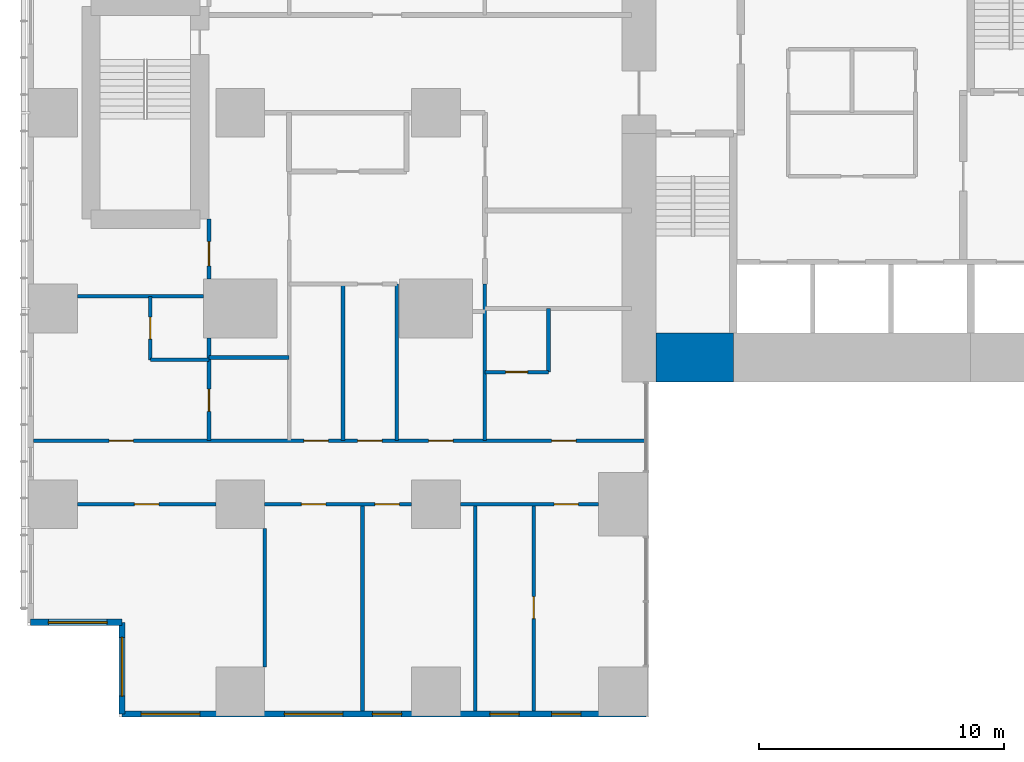
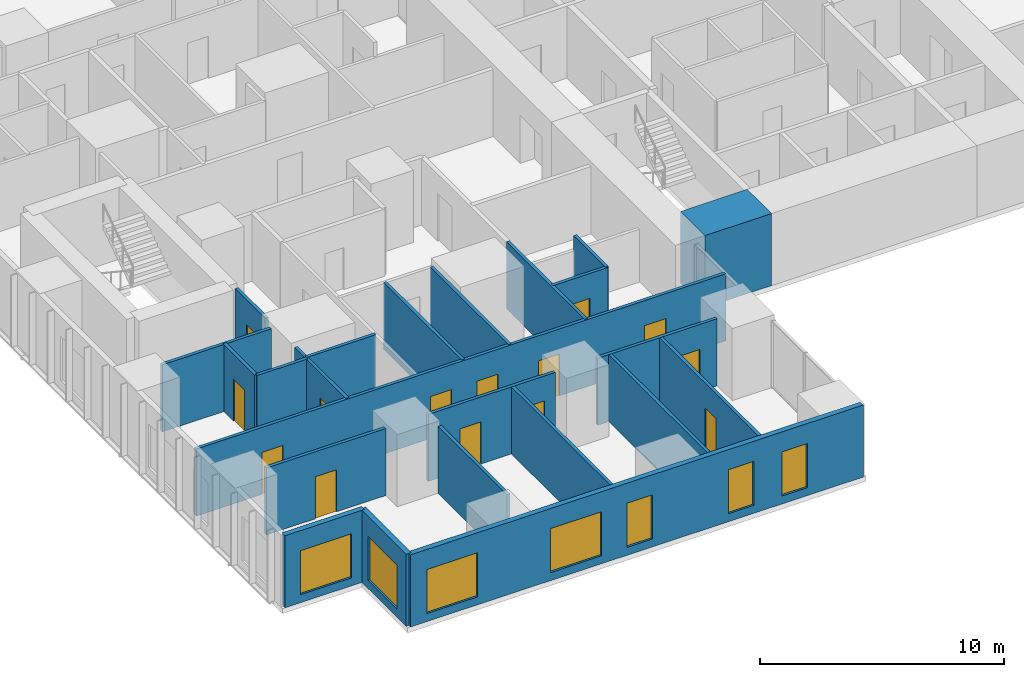
# One storey, part 12 of 20: 23 walls, 14 doors, 7 windows, 21 openings.
"""IFC4 building model written with IfcOpenShell, lengths in metres."""

from ifc_helpers import new_model, si_unit, direction, frame, frame_2d, origin, place, context, subcontext, project, spatial, rectangle, extrude, material, layer, layer_set, type_object, element, fill, save


model = new_model("IFC4")

# Units and contexts
model_context = context("Model", 3, precision=1e-05, world=origin(), true_north=direction((0.0, 1.0)))
body_context = subcontext(model_context, "Body", "Model", "MODEL_VIEW")
ifc_project = project(units=[si_unit("LENGTHUNIT", "METRE"), si_unit("AREAUNIT", "SQUARE_METRE"), si_unit("VOLUMEUNIT", "CUBIC_METRE"), si_unit("PLANEANGLEUNIT", "RADIAN"), si_unit("MASSUNIT", "GRAM", prefix="KILO")], contexts=[model_context])

# Site, building, storey
site_placement = place(None, origin())
site = spatial("IfcSite", under=ifc_project, at=site_placement, CompositionType="ELEMENT")
building_placement = place(site_placement, origin())
building = spatial("IfcBuilding", under=site, at=building_placement, Name="Cleftline Residences", CompositionType="ELEMENT")
storey_placement = place(building_placement, frame((0.0, 0.0, 135.800048828125)))
storey = spatial("IfcBuildingStorey", under=building, at=storey_placement, Name="L35", CompositionType="ELEMENT", Elevation=135.800048828125)

# Wall
ifc_material_1 = material(Name="Concrete B70", Category="concrete")
ifc_layer_1 = layer(ifc_material_1, 2.0)
ifc_layer_set_1 = layer_set([ifc_layer_1], Name="CORE WALL 2000")
wall_type_1 = type_object("IfcWallType", Name="CORE WALL 2000", PredefinedType="SHEAR", material=ifc_layer_set_1)
wall_1_placement = place(storey_placement, frame((25.0, 14.0, 0.0), z_axis=(0.0, 0.0, 1.0), x_axis=(1.0, 0.0, 0.0)))
element("IfcWall", 1, at=wall_1_placement, inside=storey, type_object=wall_type_1, Name="Core wall S1", PredefinedType="SHEAR", context=body_context, shape_type="SweptSolid", body=[
    extrude(rectangle(XDim=3.14990234375, YDim=2.0, at=frame_2d((1.574951171875, 0.0))), origin(), (0.0, 0.0, 1.0), 3.599853515625),
])

# Wall, opening, window
ifc_material_2 = material(Name="Rendered reinforced concrete blockwork", Category="masonry")
ifc_layer_2 = layer(ifc_material_2, 0.25)
ifc_layer_set_2 = layer_set([ifc_layer_2], Name="EXTERNAL WALL 250")
wall_type_2 = type_object("IfcWallType", Name="EXTERNAL WALL 250", PredefinedType="SOLIDWALL", material=ifc_layer_set_2)
wall_2_placement = place(storey_placement, frame((-0.574951171875, 3.175048828125, 0.0), z_axis=(0.0, 0.0, 1.0), x_axis=(1.0, 0.0, 0.0)))
wall_2 = element("IfcWall", 2, at=wall_2_placement, inside=storey, type_object=wall_type_2, Name="External wall", PredefinedType="SOLIDWALL", context=body_context, shape_type="SweptSolid", body=[
    extrude(rectangle(XDim=3.75, YDim=0.25, at=frame_2d((1.875, 0.0))), origin(), (0.0, 0.0, 1.0), 3.599853515625),
])
opening_1_placement = place(wall_2_placement, frame((0.737548828125, 0.0, 0.39990234375)))
opening_1 = element("IfcOpeningElement", 3, at=opening_1_placement, cuts=wall_2, Name="Opening W12", PredefinedType="OPENING", context=body_context, shape_type="SweptSolid", body=[
    extrude(rectangle(XDim=2.39990234375, YDim=2.199951171875, at=frame_2d((1.199951171875, 1.10009765625))), frame((0.0, 0.135009765625, 0.0), z_axis=(0.0, -1.0, 0.0), x_axis=(1.0, 0.0, 0.0)), (0.0, 0.0, 1.0), 0.27001953125),
])
ifc_material_3 = material(Name="Aluminium frame, clear double glazing", Category="aluminium")
window_type_1 = type_object("IfcWindowType", Name="WINDOW 2400X2200", PartitioningType="DOUBLE_PANEL_VERTICAL", PredefinedType="WINDOW", material=ifc_material_3)
window_1_placement = place(opening_1_placement, origin())
window_1 = element("IfcWindow", 4, at=window_1_placement, inside=storey, type_object=window_type_1, Name="Window", OverallHeight=2.199951171875, OverallWidth=2.39990234375, PartitioningType="SINGLE_PANEL", PredefinedType="WINDOW", context=body_context, shape_type="SweptSolid", body=[
    extrude(rectangle(XDim=2.39990234375, YDim=2.199951171875, at=frame_2d((1.199951171875, 1.10009765625))), frame((0.0, 0.030029296875, 0.0), z_axis=(0.0, -1.0, 0.0), x_axis=(1.0, 0.0, 0.0)), (0.0, 0.0, 1.0), 0.06005859375),
])
fill(opening_1, window_1)

wall_3_placement = place(storey_placement, frame((3.175048828125, 3.175048828125, 0.0), z_axis=(0.0, 0.0, 1.0), x_axis=(0.0, -1.0, 0.0)))
wall_3 = element("IfcWall", 5, at=wall_3_placement, inside=storey, type_object=wall_type_2, Name="External wall", PredefinedType="SOLIDWALL", context=body_context, shape_type="SweptSolid", body=[
    extrude(rectangle(XDim=3.75, YDim=0.25, at=frame_2d((1.875, 0.0))), origin(), (0.0, 0.0, 1.0), 3.599853515625),
])
opening_2_placement = place(wall_3_placement, frame((0.612548828125, 0.0, 0.39990234375)))
opening_2 = element("IfcOpeningElement", 6, at=opening_2_placement, cuts=wall_3, Name="Opening W12", PredefinedType="OPENING", context=body_context, shape_type="SweptSolid", body=[
    extrude(rectangle(XDim=2.39990234375, YDim=2.199951171875, at=frame_2d((1.199951171875, 1.10009765625))), frame((0.0, 0.135009765625, 0.0), z_axis=(0.0, -1.0, 0.0), x_axis=(1.0, 0.0, 0.0)), (0.0, 0.0, 1.0), 0.27001953125),
])
window_2_placement = place(opening_2_placement, origin())
window_2 = element("IfcWindow", 7, at=window_2_placement, inside=storey, type_object=window_type_1, Name="Window", OverallHeight=2.199951171875, OverallWidth=2.39990234375, PartitioningType="SINGLE_PANEL", PredefinedType="WINDOW", context=body_context, shape_type="SweptSolid", body=[
    extrude(rectangle(XDim=2.39990234375, YDim=2.199951171875, at=frame_2d((1.199951171875, 1.10009765625))), frame((0.0, 0.030029296875, 0.0), z_axis=(0.0, -1.0, 0.0), x_axis=(1.0, 0.0, 0.0)), (0.0, 0.0, 1.0), 0.06005859375),
])
fill(opening_2, window_2)

# Wall, openings, windows
wall_4_placement = place(storey_placement, frame((3.175048828125, -0.574951171875, 0.0), z_axis=(0.0, 0.0, 1.0), x_axis=(1.0, 0.0, 0.0)))
wall_4 = element("IfcWall", 8, at=wall_4_placement, inside=storey, type_object=wall_type_2, Name="External wall", PredefinedType="SOLIDWALL", context=body_context, shape_type="SweptSolid", body=[
    extrude(rectangle(XDim=21.39990234375, YDim=0.25, at=frame_2d((10.699951171875, 0.0))), origin(), (0.0, 0.0, 1.0), 3.599853515625),
])
opening_3_placement = place(wall_4_placement, frame((0.77490234375, 0.0, 0.39990234375)))
opening_3 = element("IfcOpeningElement", 9, at=opening_3_placement, cuts=wall_4, Name="Opening W12", PredefinedType="OPENING", context=body_context, shape_type="SweptSolid", body=[
    extrude(rectangle(XDim=2.39990234375, YDim=2.199951171875, at=frame_2d((1.199951171875, 1.10009765625))), frame((0.0, 0.135009765625, 0.0), z_axis=(0.0, -1.0, 0.0), x_axis=(1.0, 0.0, 0.0)), (0.0, 0.0, 1.0), 0.27001953125),
])
opening_4_placement = place(wall_4_placement, frame((6.625, 0.0, 0.39990234375)))
opening_4 = element("IfcOpeningElement", 10, at=opening_4_placement, cuts=wall_4, Name="Opening W12", PredefinedType="OPENING", context=body_context, shape_type="SweptSolid", body=[
    extrude(rectangle(XDim=2.39990234375, YDim=2.199951171875, at=frame_2d((1.199951171875, 1.10009765625))), frame((0.0, 0.135009765625, 0.0), z_axis=(0.0, -1.0, 0.0), x_axis=(1.0, 0.0, 0.0)), (0.0, 0.0, 1.0), 0.27001953125),
])
opening_5_placement = place(wall_4_placement, frame((10.22509765625, 0.0, 0.39990234375)))
opening_5 = element("IfcOpeningElement", 11, at=opening_5_placement, cuts=wall_4, Name="Opening W11", PredefinedType="OPENING", context=body_context, shape_type="SweptSolid", body=[
    extrude(rectangle(XDim=1.199951171875, YDim=2.199951171875, at=frame_2d((0.60009765625, 1.10009765625))), frame((0.0, 0.135009765625, 0.0), z_axis=(0.0, -1.0, 0.0), x_axis=(1.0, 0.0, 0.0)), (0.0, 0.0, 1.0), 0.27001953125),
])
opening_6_placement = place(wall_4_placement, frame((15.02490234375, 0.0, 0.39990234375)))
opening_6 = element("IfcOpeningElement", 12, at=opening_6_placement, cuts=wall_4, Name="Opening W11", PredefinedType="OPENING", context=body_context, shape_type="SweptSolid", body=[
    extrude(rectangle(XDim=1.199951171875, YDim=2.199951171875, at=frame_2d((0.60009765625, 1.10009765625))), frame((0.0, 0.135009765625, 0.0), z_axis=(0.0, -1.0, 0.0), x_axis=(1.0, 0.0, 0.0)), (0.0, 0.0, 1.0), 0.27001953125),
])
opening_7_placement = place(wall_4_placement, frame((17.550048828125, 0.0, 0.39990234375)))
opening_7 = element("IfcOpeningElement", 13, at=opening_7_placement, cuts=wall_4, Name="Opening W11", PredefinedType="OPENING", context=body_context, shape_type="SweptSolid", body=[
    extrude(rectangle(XDim=1.199951171875, YDim=2.199951171875, at=frame_2d((0.60009765625, 1.10009765625))), frame((0.0, 0.135009765625, 0.0), z_axis=(0.0, -1.0, 0.0), x_axis=(1.0, 0.0, 0.0)), (0.0, 0.0, 1.0), 0.27001953125),
])
ifc_material_4 = material(Name="Aluminium frame, clear double glazing", Category="aluminium")
window_type_2 = type_object("IfcWindowType", Name="WINDOW 1200X2200", PartitioningType="DOUBLE_PANEL_VERTICAL", PredefinedType="WINDOW", material=ifc_material_4)
window_3_placement = place(opening_5_placement, origin())
window_3 = element("IfcWindow", 14, at=window_3_placement, inside=storey, type_object=window_type_2, Name="Window", OverallHeight=2.199951171875, OverallWidth=1.199951171875, PartitioningType="SINGLE_PANEL", PredefinedType="WINDOW", context=body_context, shape_type="SweptSolid", body=[
    extrude(rectangle(XDim=1.199951171875, YDim=2.199951171875, at=frame_2d((0.60009765625, 1.10009765625))), frame((0.0, 0.030029296875, 0.0), z_axis=(0.0, -1.0, 0.0), x_axis=(1.0, 0.0, 0.0)), (0.0, 0.0, 1.0), 0.06005859375),
])
fill(opening_5, window_3)
window_4_placement = place(opening_6_placement, origin())
window_4 = element("IfcWindow", 15, at=window_4_placement, inside=storey, type_object=window_type_2, Name="Window", OverallHeight=2.199951171875, OverallWidth=1.199951171875, PartitioningType="SINGLE_PANEL", PredefinedType="WINDOW", context=body_context, shape_type="SweptSolid", body=[
    extrude(rectangle(XDim=1.199951171875, YDim=2.199951171875, at=frame_2d((0.60009765625, 1.10009765625))), frame((0.0, 0.030029296875, 0.0), z_axis=(0.0, -1.0, 0.0), x_axis=(1.0, 0.0, 0.0)), (0.0, 0.0, 1.0), 0.06005859375),
])
fill(opening_6, window_4)
window_5_placement = place(opening_7_placement, origin())
window_5 = element("IfcWindow", 16, at=window_5_placement, inside=storey, type_object=window_type_2, Name="Window", OverallHeight=2.199951171875, OverallWidth=1.199951171875, PartitioningType="SINGLE_PANEL", PredefinedType="WINDOW", context=body_context, shape_type="SweptSolid", body=[
    extrude(rectangle(XDim=1.199951171875, YDim=2.199951171875, at=frame_2d((0.60009765625, 1.10009765625))), frame((0.0, 0.030029296875, 0.0), z_axis=(0.0, -1.0, 0.0), x_axis=(1.0, 0.0, 0.0)), (0.0, 0.0, 1.0), 0.06005859375),
])
fill(opening_7, window_5)
window_6_placement = place(opening_3_placement, origin())
window_6 = element("IfcWindow", 17, at=window_6_placement, inside=storey, type_object=window_type_1, Name="Window", OverallHeight=2.199951171875, OverallWidth=2.39990234375, PartitioningType="SINGLE_PANEL", PredefinedType="WINDOW", context=body_context, shape_type="SweptSolid", body=[
    extrude(rectangle(XDim=2.39990234375, YDim=2.199951171875, at=frame_2d((1.199951171875, 1.10009765625))), frame((0.0, 0.030029296875, 0.0), z_axis=(0.0, -1.0, 0.0), x_axis=(1.0, 0.0, 0.0)), (0.0, 0.0, 1.0), 0.06005859375),
])
fill(opening_3, window_6)
window_7_placement = place(opening_4_placement, origin())
window_7 = element("IfcWindow", 18, at=window_7_placement, inside=storey, type_object=window_type_1, Name="Window", OverallHeight=2.199951171875, OverallWidth=2.39990234375, PartitioningType="SINGLE_PANEL", PredefinedType="WINDOW", context=body_context, shape_type="SweptSolid", body=[
    extrude(rectangle(XDim=2.39990234375, YDim=2.199951171875, at=frame_2d((1.199951171875, 1.10009765625))), frame((0.0, 0.030029296875, 0.0), z_axis=(0.0, -1.0, 0.0), x_axis=(1.0, 0.0, 0.0)), (0.0, 0.0, 1.0), 0.06005859375),
])
fill(opening_4, window_7)

# Wall, opening, door
ifc_material_5 = material(Name="Gypsum board on steel studs", Category="steel")
ifc_layer_3 = layer(ifc_material_5, 0.14990234375)
ifc_layer_set_3 = layer_set([ifc_layer_3], Name="PARTITION 150")
wall_type_3 = type_object("IfcWallType", Name="PARTITION 150", PredefinedType="PARTITIONING", material=ifc_layer_set_3)
wall_5_placement = place(storey_placement, frame((1.35009765625, 8.0, 0.0), z_axis=(0.0, 0.0, 1.0), x_axis=(1.0, 0.0, 0.0)))
wall_5 = element("IfcWall", 19, at=wall_5_placement, inside=storey, type_object=wall_type_3, Name="Partition", PredefinedType="PARTITIONING", context=body_context, shape_type="SweptSolid", body=[
    extrude(rectangle(XDim=5.64990234375, YDim=0.14990234375, at=frame_2d((2.824951171875, 0.0))), origin(), (0.0, 0.0, 1.0), 3.349853515625),
])
opening_8_placement = place(wall_5_placement, frame((2.324951171875, 0.0, 0.0)))
opening_8 = element("IfcOpeningElement", 20, at=opening_8_placement, cuts=wall_5, Name="Opening D2", PredefinedType="OPENING", context=body_context, shape_type="SweptSolid", body=[
    extrude(rectangle(XDim=1.0, YDim=2.10009765625, at=frame_2d((0.5, 1.050048828125))), frame((0.0, 0.0849609375, 0.0), z_axis=(0.0, -1.0, 0.0), x_axis=(1.0, 0.0, 0.0)), (0.0, 0.0, 1.0), 0.169921875),
])
ifc_material_6 = material(Name="Timber veneer on solid core", Category="wood")
door_type_1 = type_object("IfcDoorType", Name="DOOR 1000X2100", OperationType="SINGLE_SWING_LEFT", PredefinedType="DOOR", material=ifc_material_6)
door_1_placement = place(opening_8_placement, origin())
door_1 = element("IfcDoor", 21, at=door_1_placement, inside=storey, type_object=door_type_1, Name="Door to living room", OperationType="SINGLE_SWING_LEFT", OverallHeight=2.10009765625, OverallWidth=1.0, PredefinedType="DOOR", context=body_context, shape_type="SweptSolid", body=[
    extrude(rectangle(XDim=1.0, YDim=2.10009765625, at=frame_2d((0.5, 1.050048828125))), frame((0.0, 0.02490234375, 0.0), z_axis=(0.0, -1.0, 0.0), x_axis=(1.0, 0.0, 0.0)), (0.0, 0.0, 1.0), 0.050048828125),
])
fill(opening_8, door_1)

# Wall, openings, doors
wall_6_placement = place(storey_placement, frame((9.0, 8.0, 0.0), z_axis=(0.0, 0.0, 1.0), x_axis=(1.0, 0.0, 0.0)))
wall_6 = element("IfcWall", 22, at=wall_6_placement, inside=storey, type_object=wall_type_3, Name="Partition", PredefinedType="PARTITIONING", context=body_context, shape_type="SweptSolid", body=[
    extrude(rectangle(XDim=6.0, YDim=0.14990234375, at=frame_2d((3.0, 0.0))), origin(), (0.0, 0.0, 1.0), 3.349853515625),
])
opening_9_placement = place(wall_6_placement, frame((1.5, 0.0, 0.0)))
opening_9 = element("IfcOpeningElement", 23, at=opening_9_placement, cuts=wall_6, Name="Opening D2", PredefinedType="OPENING", context=body_context, shape_type="SweptSolid", body=[
    extrude(rectangle(XDim=1.0, YDim=2.10009765625, at=frame_2d((0.5, 1.050048828125))), frame((0.0, 0.0849609375, 0.0), z_axis=(0.0, -1.0, 0.0), x_axis=(1.0, 0.0, 0.0)), (0.0, 0.0, 1.0), 0.169921875),
])
opening_10_placement = place(wall_6_placement, frame((4.5, 0.0, 0.0)))
opening_10 = element("IfcOpeningElement", 24, at=opening_10_placement, cuts=wall_6, Name="Opening D2", PredefinedType="OPENING", context=body_context, shape_type="SweptSolid", body=[
    extrude(rectangle(XDim=1.0, YDim=2.10009765625, at=frame_2d((0.5, 1.050048828125))), frame((0.0, 0.0849609375, 0.0), z_axis=(0.0, -1.0, 0.0), x_axis=(1.0, 0.0, 0.0)), (0.0, 0.0, 1.0), 0.169921875),
])
door_2_placement = place(opening_9_placement, origin())
door_2 = element("IfcDoor", 25, at=door_2_placement, inside=storey, type_object=door_type_1, Name="Door to dining room", OperationType="SINGLE_SWING_RIGHT", OverallHeight=2.10009765625, OverallWidth=1.0, PredefinedType="DOOR", context=body_context, shape_type="SweptSolid", body=[
    extrude(rectangle(XDim=1.0, YDim=2.10009765625, at=frame_2d((0.5, 1.050048828125))), frame((0.0, 0.02490234375, 0.0), z_axis=(0.0, -1.0, 0.0), x_axis=(1.0, 0.0, 0.0)), (0.0, 0.0, 1.0), 0.050048828125),
])
fill(opening_9, door_2)
door_3_placement = place(opening_10_placement, origin())
door_3 = element("IfcDoor", 26, at=door_3_placement, inside=storey, type_object=door_type_1, Name="Door to show kitchen", OperationType="SINGLE_SWING_LEFT", OverallHeight=2.10009765625, OverallWidth=1.0, PredefinedType="DOOR", context=body_context, shape_type="SweptSolid", body=[
    extrude(rectangle(XDim=1.0, YDim=2.10009765625, at=frame_2d((0.5, 1.050048828125))), frame((0.0, 0.02490234375, 0.0), z_axis=(0.0, -1.0, 0.0), x_axis=(1.0, 0.0, 0.0)), (0.0, 0.0, 1.0), 0.050048828125),
])
fill(opening_10, door_3)

# Wall, opening, door
wall_7_placement = place(storey_placement, frame((17.0, 8.0, 0.0), z_axis=(0.0, 0.0, 1.0), x_axis=(1.0, 0.0, 0.0)))
wall_7 = element("IfcWall", 27, at=wall_7_placement, inside=storey, type_object=wall_type_3, Name="Partition", PredefinedType="PARTITIONING", context=body_context, shape_type="SweptSolid", body=[
    extrude(rectangle(XDim=5.64990234375, YDim=0.14990234375, at=frame_2d((2.824951171875, 0.0))), origin(), (0.0, 0.0, 1.0), 3.349853515625),
])
opening_11_placement = place(wall_7_placement, frame((3.824951171875, 0.0, 0.0)))
opening_11 = element("IfcOpeningElement", 28, at=opening_11_placement, cuts=wall_7, Name="Opening D2", PredefinedType="OPENING", context=body_context, shape_type="SweptSolid", body=[
    extrude(rectangle(XDim=1.0, YDim=2.10009765625, at=frame_2d((0.5, 1.050048828125))), frame((0.0, 0.0849609375, 0.0), z_axis=(0.0, -1.0, 0.0), x_axis=(1.0, 0.0, 0.0)), (0.0, 0.0, 1.0), 0.169921875),
])
door_4_placement = place(opening_11_placement, origin())
door_4 = element("IfcDoor", 29, at=door_4_placement, inside=storey, type_object=door_type_1, Name="Door to bedroom 2", OperationType="SINGLE_SWING_LEFT", OverallHeight=2.10009765625, OverallWidth=1.0, PredefinedType="DOOR", context=body_context, shape_type="SweptSolid", body=[
    extrude(rectangle(XDim=1.0, YDim=2.10009765625, at=frame_2d((0.5, 1.050048828125))), frame((0.0, 0.02490234375, 0.0), z_axis=(0.0, -1.0, 0.0), x_axis=(1.0, 0.0, 0.0)), (0.0, 0.0, 1.0), 0.050048828125),
])
fill(opening_11, door_4)

# Wall, openings, doors
wall_8_placement = place(storey_placement, frame((-0.449951171875, 10.60009765625, 0.0), z_axis=(0.0, 0.0, 1.0), x_axis=(1.0, 0.0, 0.0)))
wall_8 = element("IfcWall", 30, at=wall_8_placement, inside=storey, type_object=wall_type_3, Name="Partition", PredefinedType="PARTITIONING", context=body_context, shape_type="SweptSolid", body=[
    extrude(rectangle(XDim=25.010986328125, YDim=0.14990234375, at=frame_2d((12.50537109375, 0.0))), origin(), (0.0, 0.0, 1.0), 3.349853515625),
])
opening_12_placement = place(wall_8_placement, frame((13.25, 0.0, 0.0)))
opening_12 = element("IfcOpeningElement", 31, at=opening_12_placement, cuts=wall_8, Name="Opening D2", PredefinedType="OPENING", context=body_context, shape_type="SweptSolid", body=[
    extrude(rectangle(XDim=1.0, YDim=2.10009765625, at=frame_2d((0.5, 1.050048828125))), frame((0.0, 0.0849609375, 0.0), z_axis=(0.0, -1.0, 0.0), x_axis=(1.0, 0.0, 0.0)), (0.0, 0.0, 1.0), 0.169921875),
])
opening_13_placement = place(wall_8_placement, frame((3.08740234375, 0.0, 0.0)))
opening_13 = element("IfcOpeningElement", 32, at=opening_13_placement, cuts=wall_8, Name="Opening D2", PredefinedType="OPENING", context=body_context, shape_type="SweptSolid", body=[
    extrude(rectangle(XDim=1.0, YDim=2.10009765625, at=frame_2d((0.5, 1.050048828125))), frame((0.0, 0.0849609375, 0.0), z_axis=(0.0, -1.0, 0.0), x_axis=(1.0, 0.0, 0.0)), (0.0, 0.0, 1.0), 0.169921875),
])
opening_14_placement = place(wall_8_placement, frame((11.050048828125, 0.0, 0.0)))
opening_14 = element("IfcOpeningElement", 33, at=opening_14_placement, cuts=wall_8, Name="Opening D2", PredefinedType="OPENING", context=body_context, shape_type="SweptSolid", body=[
    extrude(rectangle(XDim=1.0, YDim=2.10009765625, at=frame_2d((0.5, 1.050048828125))), frame((0.0, 0.0849609375, 0.0), z_axis=(0.0, -1.0, 0.0), x_axis=(1.0, 0.0, 0.0)), (0.0, 0.0, 1.0), 0.169921875),
])
opening_15_placement = place(wall_8_placement, frame((16.14990234375, 0.0, 0.0)))
opening_15 = element("IfcOpeningElement", 34, at=opening_15_placement, cuts=wall_8, Name="Opening D2", PredefinedType="OPENING", context=body_context, shape_type="SweptSolid", body=[
    extrude(rectangle(XDim=1.0, YDim=2.10009765625, at=frame_2d((0.5, 1.050048828125))), frame((0.0, 0.0849609375, 0.0), z_axis=(0.0, -1.0, 0.0), x_axis=(1.0, 0.0, 0.0)), (0.0, 0.0, 1.0), 0.169921875),
])
opening_16_placement = place(wall_8_placement, frame((21.175048828125, 0.0, 0.0)))
opening_16 = element("IfcOpeningElement", 35, at=opening_16_placement, cuts=wall_8, Name="Opening D2", PredefinedType="OPENING", context=body_context, shape_type="SweptSolid", body=[
    extrude(rectangle(XDim=1.0, YDim=2.10009765625, at=frame_2d((0.5, 1.050048828125))), frame((0.0, 0.0849609375, 0.0), z_axis=(0.0, -1.0, 0.0), x_axis=(1.0, 0.0, 0.0)), (0.0, 0.0, 1.0), 0.169921875),
])
door_5_placement = place(opening_12_placement, origin())
door_5 = element("IfcDoor", 36, at=door_5_placement, inside=storey, type_object=door_type_1, Name="Door to residence hall", OperationType="SINGLE_SWING_LEFT", OverallHeight=2.10009765625, OverallWidth=1.0, PredefinedType="DOOR", context=body_context, shape_type="SweptSolid", body=[
    extrude(rectangle(XDim=1.0, YDim=2.10009765625, at=frame_2d((0.5, 1.050048828125))), frame((0.0, 0.02490234375, 0.0), z_axis=(0.0, -1.0, 0.0), x_axis=(1.0, 0.0, 0.0)), (0.0, 0.0, 1.0), 0.050048828125),
])
fill(opening_12, door_5)
door_6_placement = place(opening_13_placement, origin())
door_6 = element("IfcDoor", 37, at=door_6_placement, inside=storey, type_object=door_type_1, Name="Door to master bedroom", OperationType="SINGLE_SWING_RIGHT", OverallHeight=2.10009765625, OverallWidth=1.0, PredefinedType="DOOR", context=body_context, shape_type="SweptSolid", body=[
    extrude(rectangle(XDim=1.0, YDim=2.10009765625, at=frame_2d((0.5, 1.050048828125))), frame((0.0, 0.02490234375, 0.0), z_axis=(0.0, -1.0, 0.0), x_axis=(1.0, 0.0, 0.0)), (0.0, 0.0, 1.0), 0.050048828125),
])
fill(opening_13, door_6)
door_7_placement = place(opening_14_placement, origin())
door_7 = element("IfcDoor", 38, at=door_7_placement, inside=storey, type_object=door_type_1, Name="Door to wet kitchen", OperationType="SINGLE_SWING_RIGHT", OverallHeight=2.10009765625, OverallWidth=1.0, PredefinedType="DOOR", context=body_context, shape_type="SweptSolid", body=[
    extrude(rectangle(XDim=1.0, YDim=2.10009765625, at=frame_2d((0.5, 1.050048828125))), frame((0.0, 0.02490234375, 0.0), z_axis=(0.0, -1.0, 0.0), x_axis=(1.0, 0.0, 0.0)), (0.0, 0.0, 1.0), 0.050048828125),
])
fill(opening_14, door_7)
door_8_placement = place(opening_15_placement, origin())
door_8 = element("IfcDoor", 39, at=door_8_placement, inside=storey, type_object=door_type_1, Name="Door to family room", OperationType="SINGLE_SWING_LEFT", OverallHeight=2.10009765625, OverallWidth=1.0, PredefinedType="DOOR", context=body_context, shape_type="SweptSolid", body=[
    extrude(rectangle(XDim=1.0, YDim=2.10009765625, at=frame_2d((0.5, 1.050048828125))), frame((0.0, 0.02490234375, 0.0), z_axis=(0.0, -1.0, 0.0), x_axis=(1.0, 0.0, 0.0)), (0.0, 0.0, 1.0), 0.050048828125),
])
fill(opening_15, door_8)
door_9_placement = place(opening_16_placement, origin())
door_9 = element("IfcDoor", 40, at=door_9_placement, inside=storey, type_object=door_type_1, Name="Door to bedroom 3", OperationType="SINGLE_SWING_LEFT", OverallHeight=2.10009765625, OverallWidth=1.0, PredefinedType="DOOR", context=body_context, shape_type="SweptSolid", body=[
    extrude(rectangle(XDim=1.0, YDim=2.10009765625, at=frame_2d((0.5, 1.050048828125))), frame((0.0, 0.02490234375, 0.0), z_axis=(0.0, -1.0, 0.0), x_axis=(1.0, 0.0, 0.0)), (0.0, 0.0, 1.0), 0.050048828125),
])
fill(opening_16, door_9)

# Wall, opening, door
wall_9_placement = place(storey_placement, frame((18.0, 13.39990234375, 0.0), z_axis=(0.0, 0.0, 1.0), x_axis=(1.0, 0.0, 0.0)))
wall_9 = element("IfcWall", 41, at=wall_9_placement, inside=storey, type_object=wall_type_3, Name="Partition", PredefinedType="PARTITIONING", context=body_context, shape_type="SweptSolid", body=[
    extrude(rectangle(XDim=2.60009765625, YDim=0.14990234375, at=frame_2d((1.300048828125, 0.0))), origin(), (0.0, 0.0, 1.0), 3.349853515625),
])
opening_17_placement = place(wall_9_placement, frame((0.85009765625, 0.0, 0.0)))
opening_17 = element("IfcOpeningElement", 42, at=opening_17_placement, cuts=wall_9, Name="Opening D1", PredefinedType="OPENING", context=body_context, shape_type="SweptSolid", body=[
    extrude(rectangle(XDim=0.89990234375, YDim=2.10009765625, at=frame_2d((0.449951171875, 1.050048828125))), frame((0.0, 0.0849609375, 0.0), z_axis=(0.0, -1.0, 0.0), x_axis=(1.0, 0.0, 0.0)), (0.0, 0.0, 1.0), 0.169921875),
])
ifc_material_7 = material(Name="Timber veneer on solid core", Category="wood")
door_type_2 = type_object("IfcDoorType", Name="DOOR 900X2100", OperationType="SINGLE_SWING_LEFT", PredefinedType="DOOR", material=ifc_material_7)
door_10_placement = place(opening_17_placement, origin())
door_10 = element("IfcDoor", 43, at=door_10_placement, inside=storey, type_object=door_type_2, Name="Door to en-suite bathroom 3", OperationType="SINGLE_SWING_LEFT", OverallHeight=2.10009765625, OverallWidth=0.89990234375, PredefinedType="DOOR", context=body_context, shape_type="SweptSolid", body=[
    extrude(rectangle(XDim=0.89990234375, YDim=2.10009765625, at=frame_2d((0.449951171875, 1.050048828125))), frame((0.0, 0.02490234375, 0.0), z_axis=(0.0, -1.0, 0.0), x_axis=(1.0, 0.0, 0.0)), (0.0, 0.0, 1.0), 0.050048828125),
])
fill(opening_17, door_10)

# Walls
wall_10_placement = place(storey_placement, frame((4.324951171875, 13.89990234375, 0.0), z_axis=(0.0, 0.0, 1.0), x_axis=(1.0, 0.0, 0.0)))
element("IfcWall", 44, at=wall_10_placement, inside=storey, type_object=wall_type_3, Name="Partition", PredefinedType="PARTITIONING", context=body_context, shape_type="SweptSolid", body=[
    extrude(rectangle(XDim=2.400146484375, YDim=0.14990234375, at=frame_2d((1.2001953125, 0.0))), origin(), (0.0, 0.0, 1.0), 3.349853515625),
])
wall_11_placement = place(storey_placement, frame((6.72509765625, 14.0, 0.0), z_axis=(0.0, 0.0, 1.0), x_axis=(1.0, 0.0, 0.0)))
element("IfcWall", 45, at=wall_11_placement, inside=storey, type_object=wall_type_3, Name="Partition", PredefinedType="PARTITIONING", context=body_context, shape_type="SweptSolid", body=[
    extrude(rectangle(XDim=3.27490234375, YDim=0.14990234375, at=frame_2d((1.637451171875, 0.0))), origin(), (0.0, 0.0, 1.0), 3.349853515625),
])
wall_12_placement = place(storey_placement, frame((1.35009765625, 16.5, 0.0), z_axis=(0.0, 0.0, 1.0), x_axis=(1.0, 0.0, 0.0)))
element("IfcWall", 46, at=wall_12_placement, inside=storey, type_object=wall_type_3, Name="Partition", PredefinedType="PARTITIONING", context=body_context, shape_type="SweptSolid", body=[
    extrude(rectangle(XDim=5.14990234375, YDim=0.14990234375, at=frame_2d((2.574951171875, 0.0))), origin(), (0.0, 0.0, 1.0), 3.349853515625),
])

# Wall, opening, door
wall_13_placement = place(storey_placement, frame((4.324951171875, 13.89990234375, 0.0), z_axis=(0.0, 0.0, 1.0), x_axis=(0.0, 1.0, 0.0)))
wall_13 = element("IfcWall", 47, at=wall_13_placement, inside=storey, type_object=wall_type_3, Name="Partition", PredefinedType="PARTITIONING", context=body_context, shape_type="SweptSolid", body=[
    extrude(rectangle(XDim=2.60009765625, YDim=0.14990234375, at=frame_2d((1.300048828125, 0.0))), origin(), (0.0, 0.0, 1.0), 3.349853515625),
])
opening_18_placement = place(wall_13_placement, frame((0.85009765625, 0.0, 0.0)))
opening_18 = element("IfcOpeningElement", 48, at=opening_18_placement, cuts=wall_13, Name="Opening D1", PredefinedType="OPENING", context=body_context, shape_type="SweptSolid", body=[
    extrude(rectangle(XDim=0.89990234375, YDim=2.10009765625, at=frame_2d((0.449951171875, 1.050048828125))), frame((0.0, 0.0849609375, 0.0), z_axis=(0.0, -1.0, 0.0), x_axis=(1.0, 0.0, 0.0)), (0.0, 0.0, 1.0), 0.169921875),
])
door_11_placement = place(opening_18_placement, origin())
door_11 = element("IfcDoor", 49, at=door_11_placement, inside=storey, type_object=door_type_2, Name="Door to master bathroom", OperationType="SINGLE_SWING_LEFT", OverallHeight=2.10009765625, OverallWidth=0.89990234375, PredefinedType="DOOR", context=body_context, shape_type="SweptSolid", body=[
    extrude(rectangle(XDim=0.89990234375, YDim=2.10009765625, at=frame_2d((0.449951171875, 1.050048828125))), frame((0.0, 0.02490234375, 0.0), z_axis=(0.0, -1.0, 0.0), x_axis=(1.0, 0.0, 0.0)), (0.0, 0.0, 1.0), 0.050048828125),
])
fill(opening_18, door_11)

wall_14_placement = place(storey_placement, frame((6.72509765625, 10.60009765625, 0.0), z_axis=(0.0, 0.0, 1.0), x_axis=(0.0, 1.0, 0.0)))
wall_14 = element("IfcWall", 50, at=wall_14_placement, inside=storey, type_object=wall_type_3, Name="Partition", PredefinedType="PARTITIONING", context=body_context, shape_type="SweptSolid", body=[
    extrude(rectangle(XDim=4.199951171875, YDim=0.14990234375, at=frame_2d((2.10009765625, 0.0))), origin(), (0.0, 0.0, 1.0), 3.349853515625),
])
opening_19_placement = place(wall_14_placement, frame((1.199951171875, 0.0, 0.0)))
opening_19 = element("IfcOpeningElement", 51, at=opening_19_placement, cuts=wall_14, Name="Opening D1", PredefinedType="OPENING", context=body_context, shape_type="SweptSolid", body=[
    extrude(rectangle(XDim=0.89990234375, YDim=2.10009765625, at=frame_2d((0.449951171875, 1.050048828125))), frame((0.0, 0.0849609375, 0.0), z_axis=(0.0, -1.0, 0.0), x_axis=(1.0, 0.0, 0.0)), (0.0, 0.0, 1.0), 0.169921875),
])
door_12_placement = place(opening_19_placement, origin())
door_12 = element("IfcDoor", 52, at=door_12_placement, inside=storey, type_object=door_type_2, Name="Door to master dressing room", OperationType="SINGLE_SWING_RIGHT", OverallHeight=2.10009765625, OverallWidth=0.89990234375, PredefinedType="DOOR", context=body_context, shape_type="SweptSolid", body=[
    extrude(rectangle(XDim=0.89990234375, YDim=2.10009765625, at=frame_2d((0.449951171875, 1.050048828125))), frame((0.0, 0.02490234375, 0.0), z_axis=(0.0, -1.0, 0.0), x_axis=(1.0, 0.0, 0.0)), (0.0, 0.0, 1.0), 0.050048828125),
])
fill(opening_19, door_12)

wall_15_placement = place(storey_placement, frame((6.72509765625, 17.199951171875, 0.0), z_axis=(0.0, 0.0, 1.0), x_axis=(0.0, 1.0, 0.0)))
wall_15 = element("IfcWall", 53, at=wall_15_placement, inside=storey, type_object=wall_type_3, Name="Partition", PredefinedType="PARTITIONING", context=body_context, shape_type="SweptSolid", body=[
    extrude(rectangle(XDim=2.449951171875, YDim=0.14990234375, at=frame_2d((1.22509765625, 0.0))), origin(), (0.0, 0.0, 1.0), 3.349853515625),
])
opening_20_placement = place(wall_15_placement, frame((0.53759765625, 0.0, 0.0)))
opening_20 = element("IfcOpeningElement", 54, at=opening_20_placement, cuts=wall_15, Name="Opening D2", PredefinedType="OPENING", context=body_context, shape_type="SweptSolid", body=[
    extrude(rectangle(XDim=1.0, YDim=2.10009765625, at=frame_2d((0.5, 1.050048828125))), frame((0.0, 0.0849609375, 0.0), z_axis=(0.0, -1.0, 0.0), x_axis=(1.0, 0.0, 0.0)), (0.0, 0.0, 1.0), 0.169921875),
])
door_13_placement = place(opening_20_placement, origin())
door_13 = element("IfcDoor", 55, at=door_13_placement, inside=storey, type_object=door_type_1, Name="Door to winter garden", OperationType="SINGLE_SWING_RIGHT", OverallHeight=2.10009765625, OverallWidth=1.0, PredefinedType="DOOR", context=body_context, shape_type="SweptSolid", body=[
    extrude(rectangle(XDim=1.0, YDim=2.10009765625, at=frame_2d((0.5, 1.050048828125))), frame((0.0, 0.02490234375, 0.0), z_axis=(0.0, -1.0, 0.0), x_axis=(1.0, 0.0, 0.0)), (0.0, 0.0, 1.0), 0.050048828125),
])
fill(opening_20, door_13)

# Walls
wall_16_placement = place(storey_placement, frame((9.0, 1.35009765625, 0.0), z_axis=(0.0, 0.0, 1.0), x_axis=(0.0, 1.0, 0.0)))
element("IfcWall", 56, at=wall_16_placement, inside=storey, type_object=wall_type_3, Name="Partition", PredefinedType="PARTITIONING", context=body_context, shape_type="SweptSolid", body=[
    extrude(rectangle(XDim=5.64990234375, YDim=0.14990234375, at=frame_2d((2.824951171875, 0.0))), origin(), (0.0, 0.0, 1.0), 3.349853515625),
])
wall_17_placement = place(storey_placement, frame((12.199951171875, 10.60009765625, 0.0), z_axis=(0.0, 0.0, 1.0), x_axis=(0.0, 1.0, 0.0)))
element("IfcWall", 57, at=wall_17_placement, inside=storey, type_object=wall_type_3, Name="Partition", PredefinedType="PARTITIONING", context=body_context, shape_type="SweptSolid", body=[
    extrude(rectangle(XDim=6.39990234375, YDim=0.14990234375, at=frame_2d((3.199951171875, 0.0))), origin(), (0.0, 0.0, 1.0), 3.349853515625),
])
wall_18_placement = place(storey_placement, frame((13.0, -0.449951171875, 0.0), z_axis=(0.0, 0.0, 1.0), x_axis=(0.0, 1.0, 0.0)))
element("IfcWall", 58, at=wall_18_placement, inside=storey, type_object=wall_type_3, Name="Partition", PredefinedType="PARTITIONING", context=body_context, shape_type="SweptSolid", body=[
    extrude(rectangle(XDim=8.449951171875, YDim=0.14990234375, at=frame_2d((4.22509765625, 0.0))), origin(), (0.0, 0.0, 1.0), 3.349853515625),
])
wall_19_placement = place(storey_placement, frame((14.39990234375, 10.60009765625, 0.0), z_axis=(0.0, 0.0, 1.0), x_axis=(0.0, 1.0, 0.0)))
element("IfcWall", 59, at=wall_19_placement, inside=storey, type_object=wall_type_3, Name="Partition", PredefinedType="PARTITIONING", context=body_context, shape_type="SweptSolid", body=[
    extrude(rectangle(XDim=6.39990234375, YDim=0.14990234375, at=frame_2d((3.199951171875, 0.0))), origin(), (0.0, 0.0, 1.0), 3.349853515625),
])
wall_20_placement = place(storey_placement, frame((17.60009765625, -0.449951171875, 0.0), z_axis=(0.0, 0.0, 1.0), x_axis=(0.0, 1.0, 0.0)))
element("IfcWall", 60, at=wall_20_placement, inside=storey, type_object=wall_type_3, Name="Partition", PredefinedType="PARTITIONING", context=body_context, shape_type="SweptSolid", body=[
    extrude(rectangle(XDim=8.449951171875, YDim=0.14990234375, at=frame_2d((4.22509765625, 0.0))), origin(), (0.0, 0.0, 1.0), 3.349853515625),
])
wall_21_placement = place(storey_placement, frame((18.0, 10.60009765625, 0.0), z_axis=(0.0, 0.0, 1.0), x_axis=(0.0, 1.0, 0.0)))
element("IfcWall", 61, at=wall_21_placement, inside=storey, type_object=wall_type_3, Name="Partition", PredefinedType="PARTITIONING", context=body_context, shape_type="SweptSolid", body=[
    extrude(rectangle(XDim=6.39990234375, YDim=0.14990234375, at=frame_2d((3.199951171875, 0.0))), origin(), (0.0, 0.0, 1.0), 3.349853515625),
])

# Wall, opening, door
wall_22_placement = place(storey_placement, frame((20.0, -0.449951171875, 0.0), z_axis=(0.0, 0.0, 1.0), x_axis=(0.0, 1.0, 0.0)))
wall_22 = element("IfcWall", 62, at=wall_22_placement, inside=storey, type_object=wall_type_3, Name="Partition", PredefinedType="PARTITIONING", context=body_context, shape_type="SweptSolid", body=[
    extrude(rectangle(XDim=8.449951171875, YDim=0.14990234375, at=frame_2d((4.22509765625, 0.0))), origin(), (0.0, 0.0, 1.0), 3.349853515625),
])
opening_21_placement = place(wall_22_placement, frame((3.77490234375, 0.0, 0.0)))
opening_21 = element("IfcOpeningElement", 63, at=opening_21_placement, cuts=wall_22, Name="Opening D1", PredefinedType="OPENING", context=body_context, shape_type="SweptSolid", body=[
    extrude(rectangle(XDim=0.89990234375, YDim=2.10009765625, at=frame_2d((0.449951171875, 1.050048828125))), frame((0.0, 0.0849609375, 0.0), z_axis=(0.0, -1.0, 0.0), x_axis=(1.0, 0.0, 0.0)), (0.0, 0.0, 1.0), 0.169921875),
])
door_14_placement = place(opening_21_placement, origin())
door_14 = element("IfcDoor", 64, at=door_14_placement, inside=storey, type_object=door_type_2, Name="Door to en-suite bathroom 2", OperationType="SINGLE_SWING_LEFT", OverallHeight=2.10009765625, OverallWidth=0.89990234375, PredefinedType="DOOR", context=body_context, shape_type="SweptSolid", body=[
    extrude(rectangle(XDim=0.89990234375, YDim=2.10009765625, at=frame_2d((0.449951171875, 1.050048828125))), frame((0.0, 0.02490234375, 0.0), z_axis=(0.0, -1.0, 0.0), x_axis=(1.0, 0.0, 0.0)), (0.0, 0.0, 1.0), 0.050048828125),
])
fill(opening_21, door_14)

# Wall
wall_23_placement = place(storey_placement, frame((20.60009765625, 13.39990234375, 0.0), z_axis=(0.0, 0.0, 1.0), x_axis=(0.0, 1.0, 0.0)))
element("IfcWall", 65, at=wall_23_placement, inside=storey, type_object=wall_type_3, Name="Partition", PredefinedType="PARTITIONING", context=body_context, shape_type="SweptSolid", body=[
    extrude(rectangle(XDim=2.60009765625, YDim=0.14990234375, at=frame_2d((1.300048828125, 0.0))), origin(), (0.0, 0.0, 1.0), 3.349853515625),
])

save(model, "model.ifc")
